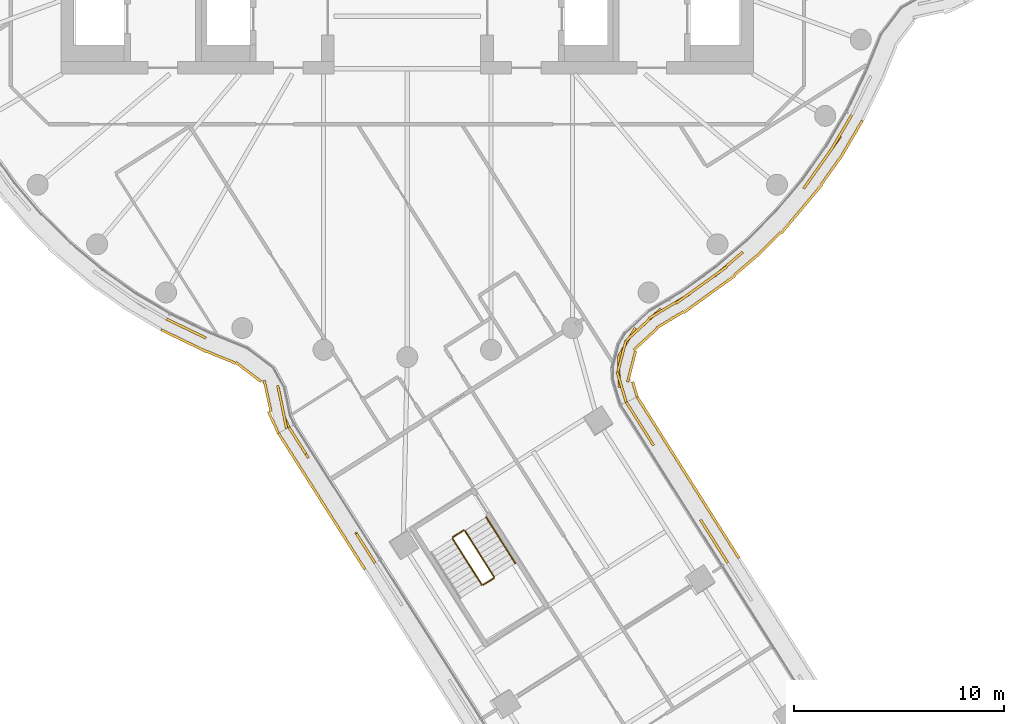
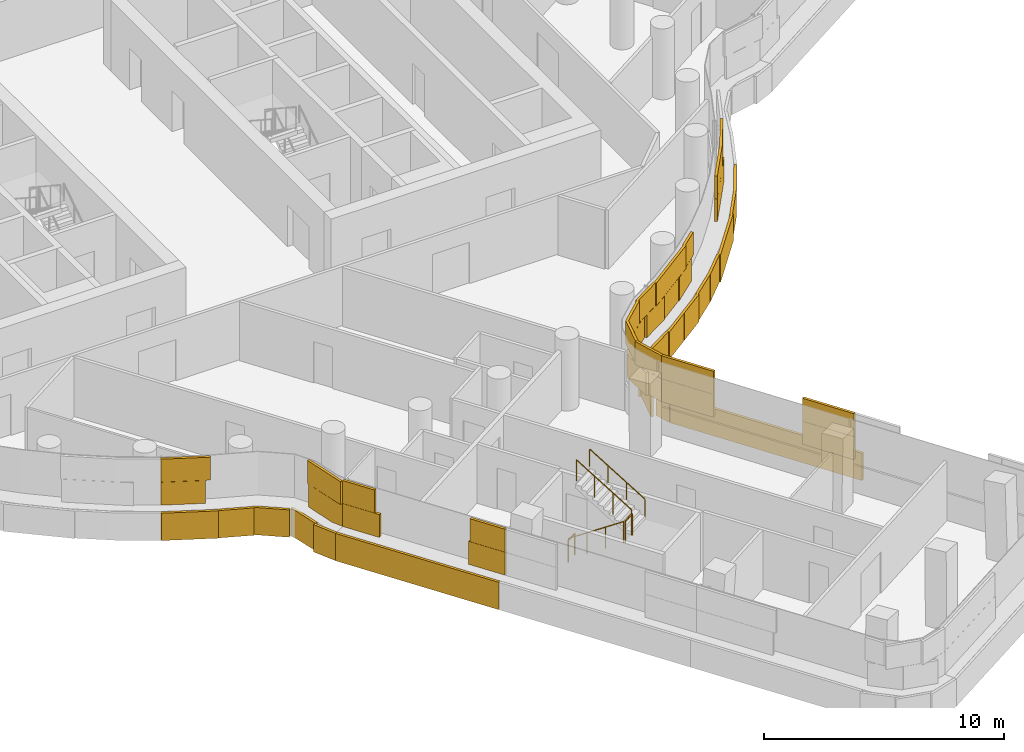
# One storey, part 30 of 36: 5 railings, 4 coverings.
"""IFC4 building model written with IfcOpenShell, lengths in metres."""

from ifc_helpers import new_model, si_unit, direction, frame, origin, origin_2d, place, context, subcontext, project, spatial, rectangle, circle, extrude, material, layer, layer_set, type_object, element, save


model = new_model("IFC4")

# Units and contexts
model_context = context("Model", 3, precision=1e-05, world=origin(), true_north=direction((0.0, 1.0)))
body_context = subcontext(model_context, "Body", "Model", "MODEL_VIEW")
ifc_project = project(units=[si_unit("LENGTHUNIT", "METRE"), si_unit("AREAUNIT", "SQUARE_METRE"), si_unit("VOLUMEUNIT", "CUBIC_METRE"), si_unit("PLANEANGLEUNIT", "RADIAN"), si_unit("MASSUNIT", "GRAM", prefix="KILO")], contexts=[model_context])

# Site, building, storey
site_placement = place(None, origin())
site = spatial("IfcSite", under=ifc_project, at=site_placement, CompositionType="ELEMENT")
building_placement = place(site_placement, origin())
building = spatial("IfcBuilding", under=site, at=building_placement, Name="Tamarind Cross Interchange Tower", CompositionType="ELEMENT")
storey_placement = place(building_placement, frame((0.0, 0.0, 151.75)))
storey = spatial("IfcBuildingStorey", under=building, at=storey_placement, Name="L37", CompositionType="ELEMENT", Elevation=151.75)

# Railings
ifc_material_1 = material(Name="Stair guard")
railing_type_1 = type_object("IfcRailingType", Name="Stair guard", PredefinedType="GUARDRAIL", material=ifc_material_1)
railing_1_placement = place(storey_placement, frame((2.15283203125, -31.647705078125, 0.17041015625)))
element("IfcRailing", 1, at=railing_1_placement, inside=storey, type_object=railing_type_1, Name="L37 ST6 stair guard 1", PredefinedType="GUARDRAIL", context=body_context, shape_type="SweptSolid", body=[
    extrude(circle(Radius=0.02392578125, at=origin_2d()), frame((0.0, 0.0, 1.076171875), z_axis=(0.44793019777, -0.706212529549, 0.548290434928), x_axis=(0.8444609269, 0.535617160796, 0.0)), (0.0, 0.0, 1.0), 3.10888671875),
    extrude(circle(Radius=0.02099609375, at=origin_2d()), origin(), (0.0, 0.0, 1.0), 1.052001953125),
    extrude(circle(Radius=0.02099609375, at=origin_2d()), frame((0.464111328125, -0.73193359375, 0.568115234375)), (0.0, 0.0, 1.0), 1.052001953125),
    extrude(circle(Radius=0.02099609375, at=origin_2d()), frame((0.928466796875, -1.463623046875, 1.136474609375)), (0.0, 0.0, 1.0), 1.052001953125),
    extrude(circle(Radius=0.02099609375, at=origin_2d()), frame((1.392578125, -2.195556640625, 1.70458984375)), (0.0, 0.0, 1.0), 1.052001953125),
])
railing_2_placement = place(storey_placement, frame((3.614501953125, -33.858642578125, 1.875)))
element("IfcRailing", 2, at=railing_2_placement, inside=storey, type_object=railing_type_1, Name="L37 ST6 stair guard 2", PredefinedType="GUARDRAIL", context=body_context, shape_type="SweptSolid", body=[
    extrude(circle(Radius=0.02392578125, at=origin_2d()), frame((0.0, 0.0, 1.076171875), z_axis=(0.844481641132, 0.535584501074, 0.0), x_axis=(-0.535584501074, 0.844481641132, 0.0)), (0.0, 0.0, 1.0), 0.599853515625),
    extrude(circle(Radius=0.02099609375, at=origin_2d()), origin(), (0.0, 0.0, 1.0), 1.052001953125),
    extrude(circle(Radius=0.02099609375, at=origin_2d()), frame((0.506591796875, 0.3212890625, 0.0)), (0.0, 0.0, 1.0), 1.052001953125),
])
railing_3_placement = place(storey_placement, frame((4.13671875, -33.46826171875, 2.04541015625)))
element("IfcRailing", 3, at=railing_3_placement, inside=storey, type_object=railing_type_1, Name="L37 ST6 stair guard 3", PredefinedType="GUARDRAIL", context=body_context, shape_type="SweptSolid", body=[
    extrude(circle(Radius=0.02392578125, at=origin_2d()), frame((0.0, 0.0, 1.076171875), z_axis=(-0.447992967394, 0.706187687253, 0.548271147826), x_axis=(-0.844418453766, -0.535684118618, 0.0)), (0.0, 0.0, 1.0), 3.109130859375),
    extrude(circle(Radius=0.02099609375, at=origin_2d()), origin(), (0.0, 0.0, 1.0), 1.052001953125),
    extrude(circle(Radius=0.02099609375, at=origin_2d()), frame((-0.46435546875, 0.73193359375, 0.568115234375)), (0.0, 0.0, 1.0), 1.052001953125),
    extrude(circle(Radius=0.02099609375, at=origin_2d()), frame((-0.928466796875, 1.463623046875, 1.136474609375)), (0.0, 0.0, 1.0), 1.052001953125),
    extrude(circle(Radius=0.02099609375, at=origin_2d()), frame((-1.392822265625, 2.195556640625, 1.70458984375)), (0.0, 0.0, 1.0), 1.052001953125),
])
railing_4_placement = place(storey_placement, frame((2.168212890625, -31.57861328125, 0.0)))
element("IfcRailing", 4, at=railing_4_placement, inside=storey, type_object=railing_type_1, Name="L37 ST6 stair guard 4", PredefinedType="GUARDRAIL", context=body_context, shape_type="SweptSolid", body=[
    extrude(circle(Radius=0.02392578125, at=origin_2d()), frame((0.0, 0.0, 1.076171875), z_axis=(0.844481641132, 0.535584501074, 0.0), x_axis=(-0.535584501074, 0.844481641132, 0.0)), (0.0, 0.0, 1.0), 0.599853515625),
    extrude(circle(Radius=0.02099609375, at=origin_2d()), origin(), (0.0, 0.0, 1.0), 1.052001953125),
    extrude(circle(Radius=0.02099609375, at=origin_2d()), frame((0.506591796875, 0.3212890625, 0.0)), (0.0, 0.0, 1.0), 1.052001953125),
])
ifc_material_2 = material(Name="Stair handrail")
railing_type_2 = type_object("IfcRailingType", Name="Stair handrail", PredefinedType="HANDRAIL", material=ifc_material_2)
railing_5_placement = place(storey_placement, frame((5.14990234375, -32.825439453125, 2.04541015625)))
element("IfcRailing", 5, at=railing_5_placement, inside=storey, type_object=railing_type_2, Name="L37 ST6 stair handrail 2", PredefinedType="HANDRAIL", context=body_context, shape_type="SweptSolid", body=[
    extrude(circle(Radius=0.02392578125, at=origin_2d()), frame((0.0, 0.0, 0.8759765625), z_axis=(-0.44793019777, 0.706212529549, 0.548290434928), x_axis=(-0.8444609269, -0.535617160796, 0.0)), (0.0, 0.0, 1.0), 3.10888671875),
    extrude(circle(Radius=0.02099609375, at=origin_2d()), origin(), (0.0, 0.0, 1.0), 0.851806640625),
    extrude(circle(Radius=0.02099609375, at=origin_2d()), frame((-0.464111328125, 0.73193359375, 0.568115234375)), (0.0, 0.0, 1.0), 0.851806640625),
    extrude(circle(Radius=0.02099609375, at=origin_2d()), frame((-0.928466796875, 1.463623046875, 1.136474609375)), (0.0, 0.0, 1.0), 0.851806640625),
    extrude(circle(Radius=0.02099609375, at=origin_2d()), frame((-1.392578125, 2.195556640625, 1.70458984375)), (0.0, 0.0, 1.0), 0.851806640625),
])

# Coverings
ifc_material_3 = material(Name="Terracotta", Category="masonry")
ifc_layer = layer(ifc_material_3, 0.1201171875)
ifc_layer_set = layer_set([ifc_layer], Name="Terracotta")
covering_type = type_object("IfcCoveringType", Name="Terracotta baguette screen unit", PredefinedType="MOLDING", material=ifc_layer_set)
covering_1_placement = place(storey_placement, origin())
element("IfcCovering", 6, at=covering_1_placement, inside=storey, type_object=covering_type, Name="SCR-L37-06-01", PredefinedType="MOLDING", context=body_context, shape_type="SweptSolid", body=[
    extrude(rectangle(XDim=0.36181640625, YDim=0.1201171875, at=origin_2d()), frame((-11.30224609375, -21.26611328125, 1.404052734375), z_axis=(0.0, 0.0, 1.0), x_axis=(0.900272776334, -0.435326231914, 0.0)), (0.0, 0.0, 1.0), 1.1669921875),
    extrude(rectangle(XDim=1.52001953125, YDim=0.1201171875, at=origin_2d()), frame((-10.46875, -21.669189453125, 1.404052734375), z_axis=(0.0, 0.0, 1.0), x_axis=(0.900272776334, -0.435326231914, 0.0)), (0.0, 0.0, 1.0), 1.1669921875),
    extrude(rectangle(XDim=1.52001953125, YDim=0.1201171875, at=origin_2d()), frame((-6.00146484375, -25.177978515625, 1.404052734375), z_axis=(0.0, 0.0, 1.0), x_axis=(0.197123530196, -0.980378658398, 0.0)), (0.0, 0.0, 1.0), 1.1669921875),
    extrude(rectangle(XDim=0.494384765625, YDim=0.1201171875, at=origin_2d()), frame((-5.739501953125, -26.129150390625, 1.404052734375), z_axis=(0.0, 0.0, 1.0), x_axis=(0.420858499194, -0.907126299727, 0.0)), (0.0, 0.0, 1.0), 1.1669921875),
    extrude(rectangle(XDim=1.11181640625, YDim=0.1201171875, at=origin_2d()), frame((-10.96484375, -21.42919921875, 2.5791015625), z_axis=(0.0, 0.0, 1.0), x_axis=(0.900272776334, -0.435326231914, 0.0)), (0.0, 0.0, 1.0), 1.1669921875),
    extrude(rectangle(XDim=0.976318359375, YDim=0.1201171875, at=origin_2d()), frame((-10.033935546875, -21.87939453125, 2.5791015625), z_axis=(0.0, 0.0, 1.0), x_axis=(0.900272776334, -0.435326231914, 0.0)), (0.0, 0.0, 1.0), 1.1669921875),
    extrude(rectangle(XDim=0.84375, YDim=0.1201171875, at=origin_2d()), frame((-6.088623046875, -24.7705078125, 2.5791015625), z_axis=(0.0, 0.0, 1.0), x_axis=(0.211359417255, -0.977408408362, 0.0)), (0.0, 0.0, 1.0), 1.1669921875),
    extrude(rectangle(XDim=1.244384765625, YDim=0.1201171875, at=origin_2d()), frame((-5.879638671875, -25.783203125, 2.5791015625), z_axis=(0.0, 0.0, 1.0), x_axis=(0.197123530196, -0.980378658398, 0.0)), (0.0, 0.0, 1.0), 1.1669921875),
    extrude(rectangle(XDim=0.896728515625, YDim=0.1201171875, at=origin_2d()), frame((-11.330322265625, -21.89013671875, 0.00390625), z_axis=(0.0, 0.0, 1.0), x_axis=(0.900272776334, -0.435326231914, 0.0)), (0.0, 0.0, 1.0), 1.39208984375),
    extrude(rectangle(XDim=1.52001953125, YDim=0.1201171875, at=origin_2d()), frame((-10.260498046875, -22.407470703125, 0.00390625), z_axis=(0.0, 0.0, 1.0), x_axis=(0.900272776334, -0.435326231914, 0.0)), (0.0, 0.0, 1.0), 1.39208984375),
    extrude(rectangle(XDim=1.52001953125, YDim=0.1201171875, at=origin_2d()), frame((-8.885009765625, -23.00439453125, 0.00390625), z_axis=(0.0, 0.0, 1.0), x_axis=(0.9251560971, -0.37958687543, 0.0)), (0.0, 0.0, 1.0), 1.39208984375),
    extrude(rectangle(XDim=1.52001953125, YDim=0.1201171875, at=origin_2d()), frame((-7.57373046875, -23.70703125, 0.00390625), z_axis=(0.0, 0.0, 1.0), x_axis=(0.795714603457, -0.605671750906, 0.0)), (0.0, 0.0, 1.0), 1.39208984375),
    extrude(rectangle(XDim=1.52001953125, YDim=0.1201171875, at=origin_2d()), frame((-6.659912109375, -24.844970703125, 0.00390625), z_axis=(0.0, 0.0, 1.0), x_axis=(0.211359417255, -0.977408408362, 0.0)), (0.0, 0.0, 1.0), 1.39208984375),
    extrude(rectangle(XDim=1.12451171875, YDim=0.1201171875, at=origin_2d()), frame((-6.379150390625, -26.114501953125, 0.00390625), z_axis=(0.0, 0.0, 1.0), x_axis=(0.420858499194, -0.907126299727, 0.0)), (0.0, 0.0, 1.0), 1.39208984375),
])
covering_2_placement = place(storey_placement, origin())
element("IfcCovering", 7, at=covering_2_placement, inside=storey, type_object=covering_type, Name="SCR-L37-07-00", PredefinedType="MOLDING", context=body_context, shape_type="SweptSolid", body=[
    extrude(rectangle(XDim=0.760009765625, YDim=0.1201171875, at=origin_2d()), frame((-5.436767578125, -26.665283203125, 1.404052734375), z_axis=(0.0, 0.0, 1.0), x_axis=(0.535661738157, -0.844432651118, 0.0)), (0.0, 0.0, 1.0), 1.1669921875),
    extrude(rectangle(XDim=0.983642578125, YDim=0.1201171875, at=origin_2d()), frame((-4.97509765625, -27.39306640625, 1.404052734375), z_axis=(0.0, 0.0, 1.0), x_axis=(0.535661738157, -0.844432651118, 0.0)), (0.0, 0.0, 1.0), 1.1669921875),
    extrude(rectangle(XDim=0.83642578125, YDim=0.1201171875, at=origin_2d()), frame((-2.2431640625, -31.69970703125, 1.404052734375), z_axis=(0.0, 0.0, 1.0), x_axis=(0.535661738157, -0.844432651118, 0.0)), (0.0, 0.0, 1.0), 1.1669921875),
    extrude(rectangle(XDim=0.906982421875, YDim=0.1201171875, at=origin_2d()), frame((-1.781494140625, -32.427490234375, 1.404052734375), z_axis=(0.0, 0.0, 1.0), x_axis=(0.535661738157, -0.844432651118, 0.0)), (0.0, 0.0, 1.0), 1.1669921875),
    extrude(rectangle(XDim=1.510009765625, YDim=0.1201171875, at=origin_2d()), frame((-5.23583984375, -26.98193359375, 2.5791015625), z_axis=(0.0, 0.0, 1.0), x_axis=(0.535661738157, -0.844432651118, 0.0)), (0.0, 0.0, 1.0), 1.1669921875),
    extrude(rectangle(XDim=1.52001953125, YDim=0.1201171875, at=origin_2d()), frame((-2.02197265625, -32.048583984375, 2.5791015625), z_axis=(0.0, 0.0, 1.0), x_axis=(0.535661738157, -0.844432651118, 0.0)), (0.0, 0.0, 1.0), 1.1669921875),
    extrude(rectangle(XDim=0.156982421875, YDim=0.1201171875, at=origin_2d()), frame((-1.580810546875, -32.744140625, 2.5791015625), z_axis=(0.0, 0.0, 1.0), x_axis=(0.535661738157, -0.844432651118, 0.0)), (0.0, 0.0, 1.0), 1.1669921875),
    extrude(rectangle(XDim=0.760009765625, YDim=0.1201171875, at=origin_2d()), frame((-5.93896484375, -26.9453125, 0.00390625), z_axis=(0.0, 0.0, 1.0), x_axis=(0.535661738157, -0.844432651118, 0.0)), (0.0, 0.0, 1.0), 1.39208984375),
    extrude(rectangle(XDim=1.52001953125, YDim=0.1201171875, at=origin_2d()), frame((-5.3388671875, -27.89111328125, 0.00390625), z_axis=(0.0, 0.0, 1.0), x_axis=(0.535661738157, -0.844432651118, 0.0)), (0.0, 0.0, 1.0), 1.39208984375),
    extrude(rectangle(XDim=1.52001953125, YDim=0.1201171875, at=origin_2d()), frame((-4.535400390625, -29.15771484375, 0.00390625), z_axis=(0.0, 0.0, 1.0), x_axis=(0.535661738157, -0.844432651118, 0.0)), (0.0, 0.0, 1.0), 1.39208984375),
    extrude(rectangle(XDim=1.52001953125, YDim=0.1201171875, at=origin_2d()), frame((-3.73193359375, -30.42431640625, 0.00390625), z_axis=(0.0, 0.0, 1.0), x_axis=(0.535661738157, -0.844432651118, 0.0)), (0.0, 0.0, 1.0), 1.39208984375),
    extrude(rectangle(XDim=1.52001953125, YDim=0.1201171875, at=origin_2d()), frame((-2.928466796875, -31.69091796875, 0.00390625), z_axis=(0.0, 0.0, 1.0), x_axis=(0.535661738157, -0.844432651118, 0.0)), (0.0, 0.0, 1.0), 1.39208984375),
    extrude(rectangle(XDim=0.941650390625, YDim=0.1201171875, at=origin_2d()), frame((-2.27978515625, -32.71337890625, 0.00390625), z_axis=(0.0, 0.0, 1.0), x_axis=(0.535661738157, -0.844432651118, 0.0)), (0.0, 0.0, 1.0), 1.39208984375),
])
covering_3_placement = place(storey_placement, origin())
element("IfcCovering", 8, at=covering_3_placement, inside=storey, type_object=covering_type, Name="SCR-L37-09-01", PredefinedType="MOLDING", context=body_context, shape_type="SweptSolid", body=[
    extrude(rectangle(XDim=1.300537109375, YDim=0.1201171875, at=origin_2d()), frame((14.93115234375, -32.26611328125, 1.404052734375), z_axis=(0.0, 0.0, 1.0), x_axis=(-0.533880613265, 0.845559868241, 0.0)), (0.0, 0.0, 1.0), 1.1669921875),
    extrude(rectangle(XDim=1.15478515625, YDim=0.1201171875, at=origin_2d()), frame((14.281005859375, -31.236328125, 1.404052734375), z_axis=(0.0, 0.0, 1.0), x_axis=(-0.533880613265, 0.845559868241, 0.0)), (0.0, 0.0, 1.0), 1.1669921875),
    extrude(rectangle(XDim=0.665283203125, YDim=0.1201171875, at=origin_2d()), frame((11.55810546875, -26.924072265625, 1.404052734375), z_axis=(0.0, 0.0, 1.0), x_axis=(-0.533880613265, 0.845559868241, 0.0)), (0.0, 0.0, 1.0), 1.1669921875),
    extrude(rectangle(XDim=1.52001953125, YDim=0.1201171875, at=origin_2d()), frame((10.98291015625, -26.012939453125, 1.404052734375), z_axis=(0.0, 0.0, 1.0), x_axis=(-0.533880613265, 0.845559868241, 0.0)), (0.0, 0.0, 1.0), 1.1669921875),
    extrude(rectangle(XDim=0.2900390625, YDim=0.1201171875, at=origin_2d()), frame((10.5078125, -25.26025390625, 1.404052734375), z_axis=(0.0, 0.0, 1.0), x_axis=(-0.533880613265, 0.845559868241, 0.0)), (0.0, 0.0, 1.0), 1.1669921875),
    extrude(rectangle(XDim=0.550537109375, YDim=0.1201171875, at=origin_2d()), frame((15.13134765625, -32.5830078125, 2.5791015625), z_axis=(0.0, 0.0, 1.0), x_axis=(-0.533880613265, 0.845559868241, 0.0)), (0.0, 0.0, 1.0), 1.1669921875),
    extrude(rectangle(XDim=1.52001953125, YDim=0.1201171875, at=origin_2d()), frame((14.586669921875, -31.720458984375, 2.5791015625), z_axis=(0.0, 0.0, 1.0), x_axis=(-0.533880613265, 0.845559868241, 0.0)), (0.0, 0.0, 1.0), 1.1669921875),
    extrude(rectangle(XDim=0.40478515625, YDim=0.1201171875, at=origin_2d()), frame((14.080810546875, -30.91943359375, 2.5791015625), z_axis=(0.0, 0.0, 1.0), x_axis=(-0.533880613265, 0.845559868241, 0.0)), (0.0, 0.0, 1.0), 1.1669921875),
    extrude(rectangle(XDim=1.415283203125, YDim=0.1201171875, at=origin_2d()), frame((11.35791015625, -26.60693359375, 2.5791015625), z_axis=(0.0, 0.0, 1.0), x_axis=(-0.533880613265, 0.845559868241, 0.0)), (0.0, 0.0, 1.0), 1.1669921875),
    extrude(rectangle(XDim=1.0400390625, YDim=0.1201171875, at=origin_2d()), frame((10.7080078125, -25.577392578125, 2.5791015625), z_axis=(0.0, 0.0, 1.0), x_axis=(-0.533880613265, 0.845559868241, 0.0)), (0.0, 0.0, 1.0), 1.1669921875),
    extrude(rectangle(XDim=1.30224609375, YDim=0.1201171875, at=origin_2d()), frame((15.4541015625, -32.01953125, 0.00390625), z_axis=(0.0, 0.0, 1.0), x_axis=(-0.533880613265, 0.845559868241, 0.0)), (0.0, 0.0, 1.0), 1.39208984375),
    extrude(rectangle(XDim=1.52001953125, YDim=0.1201171875, at=origin_2d()), frame((14.71142578125, -30.84326171875, 0.00390625), z_axis=(0.0, 0.0, 1.0), x_axis=(-0.533880613265, 0.845559868241, 0.0)), (0.0, 0.0, 1.0), 1.39208984375),
    extrude(rectangle(XDim=1.52001953125, YDim=0.1201171875, at=origin_2d()), frame((13.91064453125, -29.57470703125, 0.00390625), z_axis=(0.0, 0.0, 1.0), x_axis=(-0.533880613265, 0.845559868241, 0.0)), (0.0, 0.0, 1.0), 1.39208984375),
    extrude(rectangle(XDim=1.52001953125, YDim=0.1201171875, at=origin_2d()), frame((13.10986328125, -28.306396484375, 0.00390625), z_axis=(0.0, 0.0, 1.0), x_axis=(-0.533880613265, 0.845559868241, 0.0)), (0.0, 0.0, 1.0), 1.39208984375),
    extrude(rectangle(XDim=1.52001953125, YDim=0.1201171875, at=origin_2d()), frame((12.30908203125, -27.0380859375, 0.00390625), z_axis=(0.0, 0.0, 1.0), x_axis=(-0.533880613265, 0.845559868241, 0.0)), (0.0, 0.0, 1.0), 1.39208984375),
    extrude(rectangle(XDim=1.52001953125, YDim=0.1201171875, at=origin_2d()), frame((11.50830078125, -25.769775390625, 0.00390625), z_axis=(0.0, 0.0, 1.0), x_axis=(-0.533880613265, 0.845559868241, 0.0)), (0.0, 0.0, 1.0), 1.39208984375),
    extrude(rectangle(XDim=0.28662109375, YDim=0.1201171875, at=origin_2d()), frame((11.03662109375, -25.02294921875, 0.00390625), z_axis=(0.0, 0.0, 1.0), x_axis=(-0.533880613265, 0.845559868241, 0.0)), (0.0, 0.0, 1.0), 1.39208984375),
])
covering_4_placement = place(storey_placement, origin())
element("IfcCovering", 9, at=covering_4_placement, inside=storey, type_object=covering_type, Name="SCR-L37-10-00", PredefinedType="MOLDING", context=body_context, shape_type="SweptSolid", body=[
    extrude(rectangle(XDim=0.760009765625, YDim=0.1201171875, at=origin_2d()), frame((10.324951171875, -24.78271484375, 1.404052734375), z_axis=(0.0, 0.0, 1.0), x_axis=(-0.28782035515, 0.957684417312, 0.0)), (0.0, 0.0, 1.0), 1.1669921875),
    extrude(rectangle(XDim=1.52001953125, YDim=0.1201171875, at=origin_2d()), frame((10.08642578125, -23.692138671875, 1.404052734375), z_axis=(0.0, 0.0, 1.0), x_axis=(-0.018607932669, 0.999826857432, 0.0)), (0.0, 0.0, 1.0), 1.1669921875),
    extrude(rectangle(XDim=1.52001953125, YDim=0.1201171875, at=origin_2d()), frame((10.48095703125, -22.26220703125, 1.404052734375), z_axis=(0.0, 0.0, 1.0), x_axis=(0.503869936275, 0.863779536293, 0.0)), (0.0, 0.0, 1.0), 1.1669921875),
    extrude(rectangle(XDim=1.52001953125, YDim=0.1201171875, at=origin_2d()), frame((11.53076171875, -21.203369140625, 1.404052734375), z_axis=(0.0, 0.0, 1.0), x_axis=(0.736579190385, 0.676351311296, 0.0)), (0.0, 0.0, 1.0), 1.1669921875),
    extrude(rectangle(XDim=1.52001953125, YDim=0.1201171875, at=origin_2d()), frame((12.78759765625, -20.391845703125, 1.404052734375), z_axis=(0.0, 0.0, 1.0), x_axis=(0.856648360472, 0.515900752568, 0.0)), (0.0, 0.0, 1.0), 1.1669921875),
    extrude(rectangle(XDim=1.52001953125, YDim=0.1201171875, at=origin_2d()), frame((14.029541015625, -19.552978515625, 1.404052734375), z_axis=(0.0, 0.0, 1.0), x_axis=(0.811340475102, 0.584573890505, 0.0)), (0.0, 0.0, 1.0), 1.1669921875),
    extrude(rectangle(XDim=1.52001953125, YDim=0.1201171875, at=origin_2d()), frame((15.223388671875, -18.646240234375, 1.404052734375), z_axis=(0.0, 0.0, 1.0), x_axis=(0.760295606781, 0.64957723968, 0.0)), (0.0, 0.0, 1.0), 1.1669921875),
    extrude(rectangle(XDim=1.52001953125, YDim=0.1201171875, at=origin_2d()), frame((19.35107421875, -14.31591796875, 1.404052734375), z_axis=(0.0, 0.0, 1.0), x_axis=(0.577568978284, 0.816341886298, 0.0)), (0.0, 0.0, 1.0), 1.1669921875),
    extrude(rectangle(XDim=1.52001953125, YDim=0.1201171875, at=origin_2d()), frame((20.21728515625, -13.09130859375, 1.404052734375), z_axis=(0.0, 0.0, 1.0), x_axis=(0.577568978284, 0.816341886298, 0.0)), (0.0, 0.0, 1.0), 1.1669921875),
    extrude(rectangle(XDim=1.158203125, YDim=0.1201171875, at=origin_2d()), frame((20.890625, -11.951416015625, 1.404052734375), z_axis=(0.0, 0.0, 1.0), x_axis=(0.508183308752, 0.861248933065, 0.0)), (0.0, 0.0, 1.0), 1.1669921875),
    extrude(rectangle(XDim=1.510009765625, YDim=0.1201171875, at=origin_2d()), frame((10.217041015625, -24.423583984375, 2.5791015625), z_axis=(0.0, 0.0, 1.0), x_axis=(-0.28782035515, 0.957684417312, 0.0)), (0.0, 0.0, 1.0), 1.1669921875),
    extrude(rectangle(XDim=1.52001953125, YDim=0.1201171875, at=origin_2d()), frame((10.224609375, -22.960205078125, 2.5791015625), z_axis=(0.0, 0.0, 1.0), x_axis=(0.251986153257, 0.967730839938, 0.0)), (0.0, 0.0, 1.0), 1.1669921875),
    extrude(rectangle(XDim=1.52001953125, YDim=0.1201171875, at=origin_2d()), frame((10.978271484375, -21.71044921875, 2.5791015625), z_axis=(0.0, 0.0, 1.0), x_axis=(0.736579190385, 0.676351311296, 0.0)), (0.0, 0.0, 1.0), 1.1669921875),
    extrude(rectangle(XDim=1.52001953125, YDim=0.1201171875, at=origin_2d()), frame((12.14501953125, -20.77880859375, 2.5791015625), z_axis=(0.0, 0.0, 1.0), x_axis=(0.856648360472, 0.515900752568, 0.0)), (0.0, 0.0, 1.0), 1.1669921875),
    extrude(rectangle(XDim=1.52001953125, YDim=0.1201171875, at=origin_2d()), frame((13.421142578125, -19.991455078125, 2.5791015625), z_axis=(0.0, 0.0, 1.0), x_axis=(0.811340475102, 0.584573890505, 0.0)), (0.0, 0.0, 1.0), 1.1669921875),
    extrude(rectangle(XDim=1.52001953125, YDim=0.1201171875, at=origin_2d()), frame((14.63818359375, -19.114501953125, 2.5791015625), z_axis=(0.0, 0.0, 1.0), x_axis=(0.811340475102, 0.584573890505, 0.0)), (0.0, 0.0, 1.0), 1.1669921875),
    extrude(rectangle(XDim=1.0185546875, YDim=0.1201171875, at=origin_2d()), frame((15.606689453125, -18.31884765625, 2.5791015625), z_axis=(0.0, 0.0, 1.0), x_axis=(0.760295606781, 0.64957723968, 0.0)), (0.0, 0.0, 1.0), 1.1669921875),
    extrude(rectangle(XDim=0.801513671875, YDim=0.1201171875, at=origin_2d()), frame((19.122314453125, -14.638916015625, 2.5791015625), z_axis=(0.0, 0.0, 1.0), x_axis=(0.577568978284, 0.816341886298, 0.0)), (0.0, 0.0, 1.0), 1.1669921875),
    extrude(rectangle(XDim=1.52001953125, YDim=0.1201171875, at=origin_2d()), frame((19.7841796875, -13.70361328125, 2.5791015625), z_axis=(0.0, 0.0, 1.0), x_axis=(0.577568978284, 0.816341886298, 0.0)), (0.0, 0.0, 1.0), 1.1669921875),
    extrude(rectangle(XDim=1.52001953125, YDim=0.1201171875, at=origin_2d()), frame((20.598876953125, -12.44580078125, 2.5791015625), z_axis=(0.0, 0.0, 1.0), x_axis=(0.508183308752, 0.861248933065, 0.0)), (0.0, 0.0, 1.0), 1.1669921875),
    extrude(rectangle(XDim=0.408203125, YDim=0.1201171875, at=origin_2d()), frame((21.0810546875, -11.62841796875, 2.5791015625), z_axis=(0.0, 0.0, 1.0), x_axis=(0.508183308752, 0.861248933065, 0.0)), (0.0, 0.0, 1.0), 1.1669921875),
    extrude(rectangle(XDim=0.760009765625, YDim=0.1201171875, at=origin_2d()), frame((10.850830078125, -24.537841796875, 0.00390625), z_axis=(0.0, 0.0, 1.0), x_axis=(-0.28782035515, 0.957684417312, 0.0)), (0.0, 0.0, 1.0), 1.39208984375),
    extrude(rectangle(XDim=1.52001953125, YDim=0.1201171875, at=origin_2d()), frame((10.6904296875, -23.44921875, 0.00390625), z_axis=(0.0, 0.0, 1.0), x_axis=(0.251986153257, 0.967730839938, 0.0)), (0.0, 0.0, 1.0), 1.39208984375),
    extrude(rectangle(XDim=1.52001953125, YDim=0.1201171875, at=origin_2d()), frame((11.348388671875, -22.14990234375, 0.00390625), z_axis=(0.0, 0.0, 1.0), x_axis=(0.736579190385, 0.676351311296, 0.0)), (0.0, 0.0, 1.0), 1.39208984375),
    extrude(rectangle(XDim=1.52001953125, YDim=0.1201171875, at=origin_2d()), frame((12.519287109375, -21.2236328125, 0.00390625), z_axis=(0.0, 0.0, 1.0), x_axis=(0.856648360472, 0.515900752568, 0.0)), (0.0, 0.0, 1.0), 1.39208984375),
    extrude(rectangle(XDim=1.52001953125, YDim=0.1201171875, at=origin_2d()), frame((13.792236328125, -20.431396484375, 0.00390625), z_axis=(0.0, 0.0, 1.0), x_axis=(0.811340475102, 0.584573890505, 0.0)), (0.0, 0.0, 1.0), 1.39208984375),
    extrude(rectangle(XDim=1.52001953125, YDim=0.1201171875, at=origin_2d()), frame((15.00927734375, -19.5546875, 0.00390625), z_axis=(0.0, 0.0, 1.0), x_axis=(0.811340475102, 0.584573890505, 0.0)), (0.0, 0.0, 1.0), 1.39208984375),
    extrude(rectangle(XDim=1.52001953125, YDim=0.1201171875, at=origin_2d()), frame((16.16357421875, -18.597900390625, 0.00390625), z_axis=(0.0, 0.0, 1.0), x_axis=(0.760295606781, 0.64957723968, 0.0)), (0.0, 0.0, 1.0), 1.39208984375),
    extrude(rectangle(XDim=1.52001953125, YDim=0.1201171875, at=origin_2d()), frame((17.26513671875, -17.581787109375, 0.00390625), z_axis=(0.0, 0.0, 1.0), x_axis=(0.704057148523, 0.710143317658, 0.0)), (0.0, 0.0, 1.0), 1.39208984375),
    extrude(rectangle(XDim=1.52001953125, YDim=0.1201171875, at=origin_2d()), frame((18.31201171875, -16.50830078125, 0.00390625), z_axis=(0.0, 0.0, 1.0), x_axis=(0.643009266048, 0.765858396687, 0.0)), (0.0, 0.0, 1.0), 1.39208984375),
    extrude(rectangle(XDim=1.52001953125, YDim=0.1201171875, at=origin_2d()), frame((19.276611328125, -15.359375, 0.00390625), z_axis=(0.0, 0.0, 1.0), x_axis=(0.643009266048, 0.765858396687, 0.0)), (0.0, 0.0, 1.0), 1.39208984375),
    extrude(rectangle(XDim=1.52001953125, YDim=0.1201171875, at=origin_2d()), frame((20.168212890625, -14.154541015625, 0.00390625), z_axis=(0.0, 0.0, 1.0), x_axis=(0.577568978284, 0.816341886298, 0.0)), (0.0, 0.0, 1.0), 1.39208984375),
    extrude(rectangle(XDim=1.52001953125, YDim=0.1201171875, at=origin_2d()), frame((20.994873046875, -12.904296875, 0.00390625), z_axis=(0.0, 0.0, 1.0), x_axis=(0.508183308752, 0.861248933065, 0.0)), (0.0, 0.0, 1.0), 1.39208984375),
    extrude(rectangle(XDim=0.623046875, YDim=0.1201171875, at=origin_2d()), frame((21.529296875, -11.99853515625, 0.00390625), z_axis=(0.0, 0.0, 1.0), x_axis=(0.508183308752, 0.861248933065, 0.0)), (0.0, 0.0, 1.0), 1.39208984375),
])

save(model, "model.ifc")
